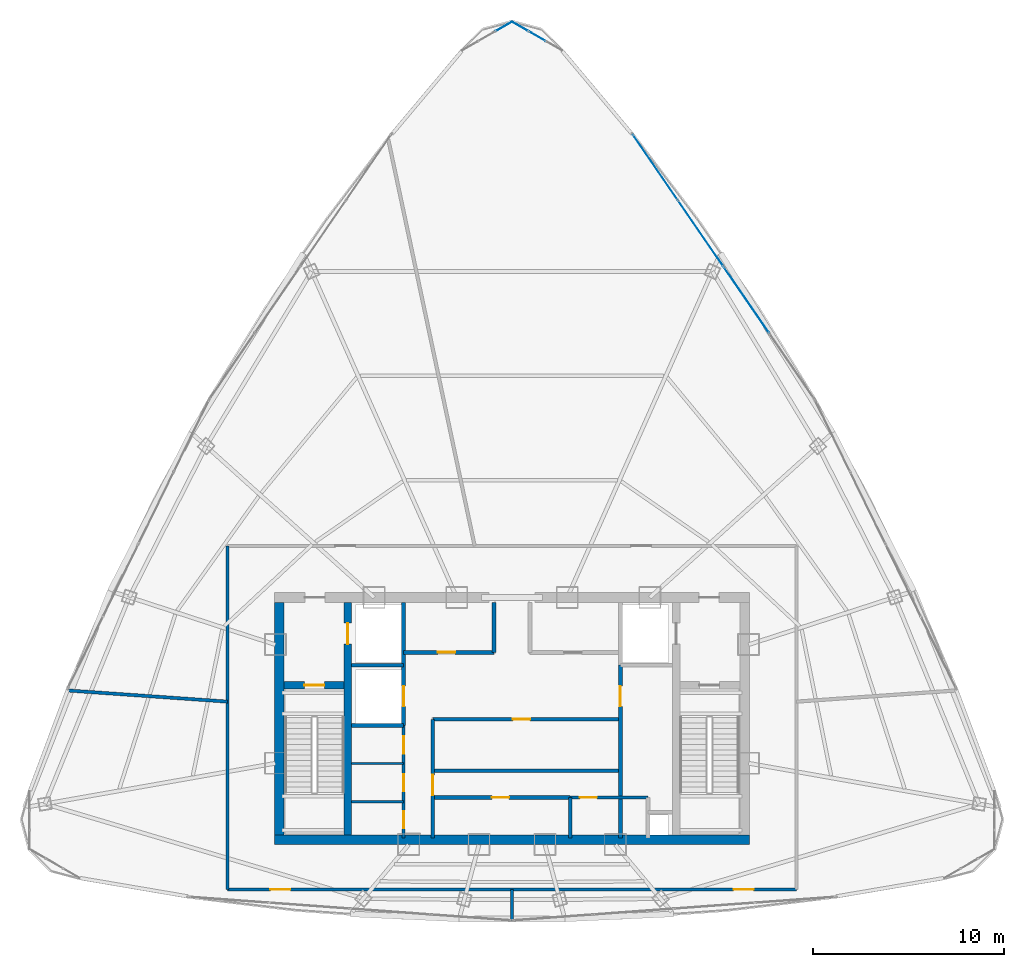
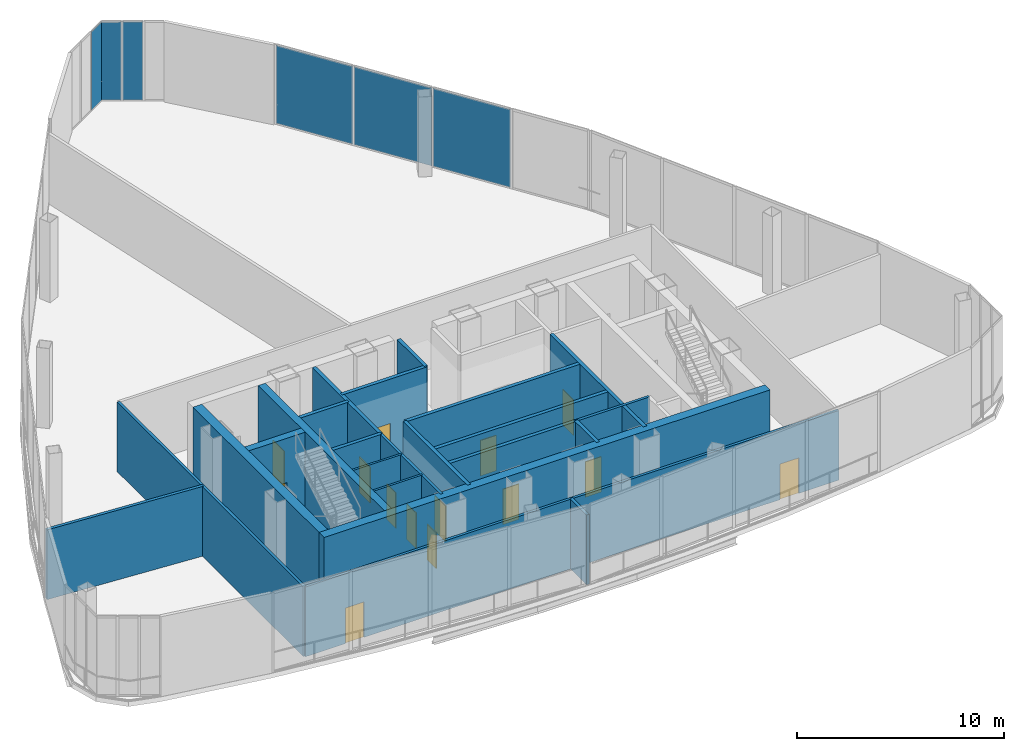
# One storey, part 29 of 33: 23 walls, 14 doors, 6 plates, 14 openings, 3 elements without a shape of their own.
"""IFC4 building model written with IfcOpenShell, lengths in metres."""

from ifc_helpers import new_model, si_unit, direction, frame, frame_2d, origin, origin_with_axes, origin_2d, place, context, subcontext, project, spatial, rectangle, extrude, source, transform, mapped, material, layer, layer_set, type_object, element, fill, aggregate, save


model = new_model("IFC4")

# Units and contexts
model_context = context("Model", 3, precision=1e-05, world=origin(), true_north=direction((0.0, 1.0)))
body_context = subcontext(model_context, "Body", "Model", "MODEL_VIEW")
ifc_project = project(units=[si_unit("LENGTHUNIT", "METRE"), si_unit("AREAUNIT", "SQUARE_METRE"), si_unit("VOLUMEUNIT", "CUBIC_METRE"), si_unit("PLANEANGLEUNIT", "RADIAN"), si_unit("MASSUNIT", "GRAM", prefix="KILO"), si_unit("THERMODYNAMICTEMPERATUREUNIT", "KELVIN"), si_unit("POWERUNIT", "WATT")], contexts=[model_context])

# Site, building, storey
site_placement = place(None, origin())
site = spatial("IfcSite", under=ifc_project, at=site_placement, CompositionType="ELEMENT")
building_placement = place(site_placement, origin())
building = spatial("IfcBuilding", under=site, at=building_placement, Name="Yunzhuo Pagoda Commons", CompositionType="ELEMENT")
storey_placement = place(building_placement, frame((0.0, 0.0, 391.760009765625)))
storey = spatial("IfcBuildingStorey", under=building, at=storey_placement, Name="L97", CompositionType="ELEMENT", Elevation=391.760009765625)

# Curtain wall, plates
ifc_material_1 = material(Name="Anodized aluminium 6063-T6", Category="aluminium")
ifc_layer_1 = layer(ifc_material_1, 0.179931640625)
ifc_layer_set_1 = layer_set([ifc_layer_1], Name="Anodized aluminium 6063-T6")
curtain_wall_type_1 = type_object("IfcCurtainWallType", Name="CW-CRN Crown Gable Glazing System", PredefinedType="NOTDEFINED", material=ifc_layer_set_1)
curtain_wall_1_placement = place(storey_placement, origin())
curtain_wall_1 = element("IfcCurtainWall", 1, at=curtain_wall_1_placement, inside=storey, type_object=curtain_wall_type_1, Name="L97 curtain wall CW-L97-CRNF2G2", PredefinedType="NOTDEFINED")
ifc_material_2 = material(Name="Tempered low-e double glazing", Category="glass")
ifc_layer_2 = layer(ifc_material_2, 0.030029296875)
ifc_layer_set_2 = layer_set([ifc_layer_2], Name="Tempered low-e double glazing")
plate_type_1 = type_object("IfcPlateType", Name="CW-CRN-P Low-E Double Glazing 30", PredefinedType="CURTAIN_PANEL", material=ifc_layer_set_2)
shared_shape_1 = source(origin(), body_context, "Body", "SweptSolid", [
    extrude(rectangle(XDim=4.125244140625, YDim=0.028076171875, at=origin_2d()), origin(), (0.0, 0.0, 1.0), 4.60009765625),
])
plate_1_placement = place(storey_placement, frame((55.507080078125, 62.74169921875, 0.06005859375), z_axis=(0.0, 0.0, 1.0), x_axis=(-0.566158911561, 0.824296116005, 0.0)))
plate_1 = element("IfcPlate", 2, at=plate_1_placement, type_object=plate_type_1, Name="CW panel 4.1", PredefinedType="CURTAIN_PANEL", context=body_context, shape_type="MappedRepresentation", body=[
    mapped(shared_shape_1, transform((0.0, 0.0, 0.0), scale=1.0)),
])
shared_shape_2 = source(origin(), body_context, "Body", "SweptSolid", [
    extrude(rectangle(XDim=4.15771484375, YDim=0.028076171875, at=origin_2d()), origin(), (0.0, 0.0, 1.0), 4.60009765625),
])
plate_2_placement = place(storey_placement, frame((60.279296875, 55.793701171875, 0.06005859375), z_axis=(0.0, 0.0, 1.0), x_axis=(-0.566158911561, 0.824296116005, 0.0)))
plate_2 = element("IfcPlate", 3, at=plate_2_placement, type_object=plate_type_1, Name="CW panel 2.1", PredefinedType="CURTAIN_PANEL", context=body_context, shape_type="MappedRepresentation", body=[
    mapped(shared_shape_2, transform((0.0, 0.0, 0.0), scale=1.0)),
])
plate_3_placement = place(storey_placement, frame((57.888671875, 59.2744140625, 0.06005859375), z_axis=(0.0, 0.0, 1.0), x_axis=(-0.566158911561, 0.824296116005, 0.0)))
plate_3 = element("IfcPlate", 4, at=plate_3_placement, type_object=plate_type_1, Name="CW panel 3.1", PredefinedType="CURTAIN_PANEL", context=body_context, shape_type="MappedRepresentation", body=[
    mapped(shared_shape_2, transform((0.0, 0.0, 0.0), scale=1.0)),
])
aggregate(curtain_wall_1, [plate_2, plate_3, plate_1])

# Curtain wall, plate
ifc_layer_3 = layer(ifc_material_1, 0.1298828125)
ifc_layer_set_3 = layer_set([ifc_layer_3], Name="Anodized aluminium 6063-T6")
curtain_wall_type_2 = type_object("IfcCurtainWallType", Name="CW-VTX Rounded Corner Curtain Wall", PredefinedType="NOTDEFINED", material=ifc_layer_set_3)
curtain_wall_2_placement = place(storey_placement, origin())
curtain_wall_2 = element("IfcCurtainWall", 5, at=curtain_wall_2_placement, inside=storey, type_object=curtain_wall_type_2, Name="L97 curtain wall CW-L97-CRNV3S1", PredefinedType="NOTDEFINED")
ifc_layer_4 = layer(ifc_material_2, 0.02587890625)
ifc_layer_set_4 = layer_set([ifc_layer_4], Name="Tempered low-e double glazing")
plate_type_2 = type_object("IfcPlateType", Name="CW-VTX-P Low-E Double Glazing 26", PredefinedType="CURTAIN_PANEL", material=ifc_layer_set_4)
shared_shape_3 = source(origin(), body_context, "Body", "SweptSolid", [
    extrude(rectangle(XDim=0.957275390625, YDim=0.028076171875, at=origin_2d()), origin(), (0.0, 0.0, 1.0), 4.610107421875),
])
plate_4_placement = place(storey_placement, frame((48.4228515625, 70.122314453125, 0.05517578125), z_axis=(0.0, 0.0, 1.0), x_axis=(-0.867213359154, 0.497936732633, 0.0)))
plate_4 = element("IfcPlate", 6, at=plate_4_placement, type_object=plate_type_2, Name="CW panel 3.1", PredefinedType="CURTAIN_PANEL", context=body_context, shape_type="MappedRepresentation", body=[
    mapped(shared_shape_3, transform((0.0, 0.0, 0.0), scale=1.0)),
])

curtain_wall_3_placement = place(storey_placement, origin())
curtain_wall_3 = element("IfcCurtainWall", 7, at=curtain_wall_3_placement, inside=storey, type_object=curtain_wall_type_2, Name="L97 curtain wall CW-L97-CRNV3S2", PredefinedType="NOTDEFINED")
plate_5_placement = place(storey_placement, frame((47.5771484375, 70.122314453125, 0.05517578125), z_axis=(0.0, 0.0, 1.0), x_axis=(-0.867213359154, -0.497936732633, 0.0)))
plate_5 = element("IfcPlate", 8, at=plate_5_placement, type_object=plate_type_2, Name="CW panel 1.1", PredefinedType="CURTAIN_PANEL", context=body_context, shape_type="MappedRepresentation", body=[
    mapped(shared_shape_3, transform((0.0, 0.0, 0.0), scale=1.0)),
])
aggregate(curtain_wall_3, [plate_5])

# Plate
shared_shape_4 = source(origin(), body_context, "Body", "SweptSolid", [
    extrude(rectangle(XDim=0.984619140625, YDim=0.028076171875, at=origin_2d()), origin(), (0.0, 0.0, 1.0), 4.610107421875),
])
plate_6_placement = place(storey_placement, frame((49.312744140625, 69.611328125, 0.05517578125), z_axis=(0.0, 0.0, 1.0), x_axis=(-0.867213359154, 0.497936732633, 0.0)))
plate_6 = element("IfcPlate", 9, at=plate_6_placement, type_object=plate_type_2, Name="CW panel 2.1", PredefinedType="CURTAIN_PANEL", context=body_context, shape_type="MappedRepresentation", body=[
    mapped(shared_shape_4, transform((0.0, 0.0, 0.0), scale=1.0)),
])

aggregate(curtain_wall_2, [plate_6, plate_4])

# Walls
ifc_material_3 = material(Name="Concrete C50", Category="concrete")
ifc_layer_5 = layer(ifc_material_3, 0.5)
ifc_layer_set_5 = layer_set([ifc_layer_5], Name="Concrete C50")
wall_type_1 = type_object("IfcWallType", Name="W-C03 Upper Core Shear Wall 500", PredefinedType="SHEAR", material=ifc_layer_set_5)
wall_1_placement = place(storey_placement, frame((35.550048828125, 27.5, 0.0), z_axis=(0.0, 0.0, 1.0), x_axis=(1.0, 0.0, 0.0)))
element("IfcWall", 10, at=wall_1_placement, inside=storey, type_object=wall_type_1, Name="L97 core shear wall S", PredefinedType="SHEAR", context=body_context, shape_type="SweptSolid", body=[
    extrude(rectangle(XDim=24.89990234375, YDim=0.5, at=frame_2d((12.449951171875, 0.0))), origin(), (0.0, 0.0, 1.0), 4.719970703125),
])
wall_2_placement = place(storey_placement, frame((35.800048828125, 27.75, 0.0), z_axis=(0.0, 0.0, 1.0), x_axis=(0.0, 1.0, 0.0)))
element("IfcWall", 11, at=wall_2_placement, inside=storey, type_object=wall_type_1, Name="L97 core shear wall W", PredefinedType="SHEAR", context=body_context, shape_type="SweptSolid", body=[
    extrude(rectangle(XDim=12.199951171875, YDim=0.5, at=frame_2d((6.10009765625, 0.0))), origin(), (0.0, 0.0, 1.0), 4.719970703125),
])

# Wall, openings, doors
ifc_material_4 = material(Name="Gypsum plasterboard on acoustic stud")
ifc_layer_6 = layer(ifc_material_4, 0.14990234375)
ifc_layer_set_6 = layer_set([ifc_layer_6], Name="Gypsum plasterboard on acoustic stud")
wall_type_2 = type_object("IfcWallType", Name="W-COR3 High-Zone Rated Corridor Wall 150", PredefinedType="PARTITIONING", material=ifc_layer_set_6)
wall_3_placement = place(storey_placement, frame((42.320068359375, 27.60009765625, 0.0), z_axis=(0.0, 0.0, 1.0), x_axis=(0.0, 1.0, 0.0)))
wall_3 = element("IfcWall", 12, at=wall_3_placement, inside=storey, type_object=wall_type_2, Name="L97 interior wall IW-L97-CSWE", PredefinedType="PARTITIONING", context=body_context, shape_type="SweptSolid", body=[
    extrude(rectangle(XDim=5.89990234375, YDim=0.14990234375, at=frame_2d((2.949951171875, 0.0))), origin(), (0.0, 0.0, 1.0), 4.719970703125),
])
opening_1_placement = place(wall_3_placement, frame((0.5, 0.0, 0.0)))
opening_1 = element("IfcOpeningElement", 13, at=opening_1_placement, cuts=wall_3, Name="Opening D-03", PredefinedType="OPENING", context=body_context, shape_type="SweptSolid", body=[
    extrude(rectangle(XDim=0.89990234375, YDim=2.10009765625, at=frame_2d((0.449951171875, 1.050048828125))), frame((0.0, 0.0849609375, 0.0), z_axis=(0.0, -1.0, 0.0), x_axis=(1.0, 0.0, 0.0)), (0.0, 0.0, 1.0), 0.169921875),
])
opening_2_placement = place(wall_3_placement, frame((2.449951171875, 0.0, 0.0)))
opening_2 = element("IfcOpeningElement", 14, at=opening_2_placement, cuts=wall_3, Name="Opening D-03", PredefinedType="OPENING", context=body_context, shape_type="SweptSolid", body=[
    extrude(rectangle(XDim=0.89990234375, YDim=2.10009765625, at=frame_2d((0.449951171875, 1.050048828125))), frame((0.0, 0.0849609375, 0.0), z_axis=(0.0, -1.0, 0.0), x_axis=(1.0, 0.0, 0.0)), (0.0, 0.0, 1.0), 0.169921875),
])
opening_3_placement = place(wall_3_placement, frame((4.419921875, 0.0, 0.0)))
opening_3 = element("IfcOpeningElement", 15, at=opening_3_placement, cuts=wall_3, Name="Opening D-03", PredefinedType="OPENING", context=body_context, shape_type="SweptSolid", body=[
    extrude(rectangle(XDim=0.89990234375, YDim=2.10009765625, at=frame_2d((0.449951171875, 1.050048828125))), frame((0.0, 0.0849609375, 0.0), z_axis=(0.0, -1.0, 0.0), x_axis=(1.0, 0.0, 0.0)), (0.0, 0.0, 1.0), 0.169921875),
])
ifc_material_5 = material(Name="Galvanized fire-resisting metal leaf")
door_type_1 = type_object("IfcDoorType", Name="D-03 Core Service Fire Door 900x2100", OperationType="NOTDEFINED", PredefinedType="DOOR", material=ifc_material_5)
shared_shape_5 = source(origin(), body_context, "Body", "SweptSolid", [
    extrude(rectangle(XDim=0.89990234375, YDim=2.10009765625, at=frame_2d((0.449951171875, 1.050048828125))), frame((0.0, 0.02490234375, 0.0), z_axis=(0.0, -1.0, 0.0), x_axis=(1.0, 0.0, 0.0)), (0.0, 0.0, 1.0), 0.050048828125),
])
door_1_placement = place(opening_1_placement, origin_with_axes())
door_1 = element("IfcDoor", 16, at=door_1_placement, inside=storey, type_object=door_type_1, Name="L97 switch door", OperationType="SINGLE_SWING_RIGHT", OverallHeight=2.10009765625, OverallWidth=0.89990234375, PredefinedType="DOOR", context=body_context, shape_type="MappedRepresentation", body=[
    mapped(shared_shape_5, transform((0.0, 0.0, 0.0), scale=1.0)),
])
fill(opening_1, door_1)
door_2_placement = place(opening_2_placement, origin_with_axes())
door_2 = element("IfcDoor", 17, at=door_2_placement, inside=storey, type_object=door_type_1, Name="L97 cleaner door", OperationType="SINGLE_SWING_RIGHT", OverallHeight=2.10009765625, OverallWidth=0.89990234375, PredefinedType="DOOR", context=body_context, shape_type="MappedRepresentation", body=[
    mapped(shared_shape_5, transform((0.0, 0.0, 0.0), scale=1.0)),
])
fill(opening_2, door_2)
door_3_placement = place(opening_3_placement, origin_with_axes())
door_3 = element("IfcDoor", 18, at=door_3_placement, inside=storey, type_object=door_type_1, Name="L97 core maintenance door", OperationType="SINGLE_SWING_LEFT", OverallHeight=2.10009765625, OverallWidth=0.89990234375, PredefinedType="DOOR", context=body_context, shape_type="MappedRepresentation", body=[
    mapped(shared_shape_5, transform((0.0, 0.0, 0.0), scale=1.0)),
])
fill(opening_3, door_3)

# Wall, opening, door
wall_4_placement = place(storey_placement, frame((51.050048828125, 29.719970703125, 0.0), z_axis=(0.0, 0.0, 1.0), x_axis=(1.0, 0.0, 0.0)))
wall_4 = element("IfcWall", 19, at=wall_4_placement, inside=storey, type_object=wall_type_2, Name="L97 interior wall IW-L97-CSES", PredefinedType="PARTITIONING", context=body_context, shape_type="SweptSolid", body=[
    extrude(rectangle(XDim=4.070068359375, YDim=0.14990234375, at=frame_2d((2.03515625, 0.0))), origin(), (0.0, 0.0, 1.0), 4.719970703125),
])
opening_4_placement = place(wall_4_placement, frame((0.5, 0.0, 0.0)))
opening_4 = element("IfcOpeningElement", 20, at=opening_4_placement, cuts=wall_4, Name="Opening D-03", PredefinedType="OPENING", context=body_context, shape_type="SweptSolid", body=[
    extrude(rectangle(XDim=0.89990234375, YDim=2.10009765625, at=frame_2d((0.449951171875, 1.050048828125))), frame((0.0, 0.0849609375, 0.0), z_axis=(0.0, -1.0, 0.0), x_axis=(1.0, 0.0, 0.0)), (0.0, 0.0, 1.0), 0.169921875),
])
door_4_placement = place(opening_4_placement, origin_with_axes())
door_4 = element("IfcDoor", 21, at=door_4_placement, inside=storey, type_object=door_type_1, Name="L97 core pantry door", OperationType="SINGLE_SWING_RIGHT", OverallHeight=2.10009765625, OverallWidth=0.89990234375, PredefinedType="DOOR", context=body_context, shape_type="MappedRepresentation", body=[
    mapped(shared_shape_5, transform((0.0, 0.0, 0.0), scale=1.0)),
])
fill(opening_4, door_4)

# Wall, openings, doors
wall_5_placement = place(storey_placement, frame((33.10009765625, 24.89990234375, 0.0), z_axis=(0.0, 0.0, 1.0), x_axis=(1.0, 0.0, 0.0)))
wall_5 = element("IfcWall", 22, at=wall_5_placement, inside=storey, type_object=wall_type_2, Name="L97 interior wall IW-L97-SCW01", PredefinedType="PARTITIONING", context=body_context, shape_type="SweptSolid", body=[
    extrude(rectangle(XDim=29.7998046875, YDim=0.14990234375, at=frame_2d((14.89990234375, 0.0))), origin(), (0.0, 0.0, 1.0), 4.119873046875),
])
opening_5_placement = place(wall_5_placement, frame((2.236328125, 0.0, 0.0)))
opening_5 = element("IfcOpeningElement", 23, at=opening_5_placement, cuts=wall_5, Name="Opening D-02", PredefinedType="OPENING", context=body_context, shape_type="SweptSolid", body=[
    extrude(rectangle(XDim=1.050048828125, YDim=2.10009765625, at=frame_2d((0.52490234375, 1.050048828125))), frame((0.0, 0.0849609375, 0.0), z_axis=(0.0, -1.0, 0.0), x_axis=(1.0, 0.0, 0.0)), (0.0, 0.0, 1.0), 0.169921875),
])
opening_6_placement = place(wall_5_placement, frame((26.513671875, 0.0, 0.0)))
opening_6 = element("IfcOpeningElement", 24, at=opening_6_placement, cuts=wall_5, Name="Opening D-02", PredefinedType="OPENING", context=body_context, shape_type="SweptSolid", body=[
    extrude(rectangle(XDim=1.050048828125, YDim=2.10009765625, at=frame_2d((0.52490234375, 1.050048828125))), frame((0.0, 0.0849609375, 0.0), z_axis=(0.0, -1.0, 0.0), x_axis=(1.0, 0.0, 0.0)), (0.0, 0.0, 1.0), 0.169921875),
])
door_type_2 = type_object("IfcDoorType", Name="D-02 Firefighting Lobby & Refuge Fire Door 1050x2100", OperationType="NOTDEFINED", PredefinedType="DOOR", material=ifc_material_5)
shared_shape_6 = source(origin(), body_context, "Body", "SweptSolid", [
    extrude(rectangle(XDim=1.050048828125, YDim=2.10009765625, at=frame_2d((0.52490234375, 1.050048828125))), frame((0.0, 0.02490234375, 0.0), z_axis=(0.0, -1.0, 0.0), x_axis=(1.0, 0.0, 0.0)), (0.0, 0.0, 1.0), 0.050048828125),
])
door_5_placement = place(opening_5_placement, origin_with_axes())
door_5 = element("IfcDoor", 25, at=door_5_placement, inside=storey, type_object=door_type_2, Name="L97 High-Zone Fire Water Tank Plant Room door", OperationType="SINGLE_SWING_LEFT", OverallHeight=2.10009765625, OverallWidth=1.050048828125, PredefinedType="DOOR", context=body_context, shape_type="MappedRepresentation", body=[
    mapped(shared_shape_6, transform((0.0, 0.0, 0.0), scale=1.0)),
])
fill(opening_5, door_5)
door_6_placement = place(opening_6_placement, origin_with_axes())
door_6 = element("IfcDoor", 26, at=door_6_placement, inside=storey, type_object=door_type_2, Name="L97 Crown Switchgear and Control Plant Room door", OperationType="SINGLE_SWING_RIGHT", OverallHeight=2.10009765625, OverallWidth=1.050048828125, PredefinedType="DOOR", context=body_context, shape_type="MappedRepresentation", body=[
    mapped(shared_shape_6, transform((0.0, 0.0, 0.0), scale=1.0)),
])
fill(opening_6, door_6)

# Walls
wall_6_placement = place(storey_placement, frame((33.10009765625, 42.89990234375, 0.0), z_axis=(0.0, 0.0, 1.0), x_axis=(0.0, -1.0, 0.0)))
element("IfcWall", 27, at=wall_6_placement, inside=storey, type_object=wall_type_2, Name="L97 interior wall IW-L97-SCW04", PredefinedType="PARTITIONING", context=body_context, shape_type="SweptSolid", body=[
    extrude(rectangle(XDim=18.0, YDim=0.14990234375, at=frame_2d((9.0, 0.0))), origin(), (0.0, 0.0, 1.0), 4.119873046875),
])
ifc_layer_7 = layer(ifc_material_4, 0.1201171875)
ifc_layer_set_7 = layer_set([ifc_layer_7], Name="Gypsum plasterboard on acoustic stud")
wall_type_3 = type_object("IfcWallType", Name="W-PRT1 Suite & Bathroom Partition 120", PredefinedType="PARTITIONING", material=ifc_layer_set_7)
for number, where, z_axis, x_axis, name in (
    (28, (39.60009765625, 29.5, 0.0), (0.0, 0.0, 1.0), (1.0, 0.0, 0.0), "L97 interior wall IW-L97-CC1"),
    (29, (39.60009765625, 31.5, 0.0), (0.0, 0.0, 1.0), (1.0, 0.0, 0.0), "L97 interior wall IW-L97-CC2"),
):
    element("IfcWall", number, at=place(storey_placement, frame(where, z_axis=z_axis, x_axis=x_axis)), inside=storey, type_object=wall_type_3, Name=name, PredefinedType="PARTITIONING", context=body_context, shape_type="SweptSolid", body=[
        extrude(rectangle(XDim=2.719970703125, YDim=0.1201171875, at=frame_2d((1.35986328125, 0.0))), origin(), (0.0, 0.0, 1.0), 4.719970703125),
    ])
ifc_layer_8 = layer(ifc_material_4, 0.169921875)
ifc_layer_set_8 = layer_set([ifc_layer_8], Name="Gypsum plasterboard on acoustic stud")
wall_type_4 = type_object("IfcWallType", Name="W-PRT4 High-Zone Demising Wall 170", PredefinedType="PARTITIONING", material=ifc_layer_set_8)
wall_7_placement = place(storey_placement, frame((33.10009765625, 34.741943359375, 0.0), z_axis=(0.0, 0.0, 1.0), x_axis=(-0.997563993403, 0.069757286835, 0.0)))
element("IfcWall", 30, at=wall_7_placement, inside=storey, type_object=wall_type_4, Name="L97 interior wall IW-L97-SRAD3", PredefinedType="PARTITIONING", context=body_context, shape_type="SweptSolid", body=[
    extrude(rectangle(XDim=8.420654296875, YDim=0.169921875, at=frame_2d((4.21044921875, 0.0))), origin(), (0.0, 0.0, 1.0), 4.119873046875),
])
wall_8_placement = place(storey_placement, frame((48.0, 24.89990234375, 0.0), z_axis=(0.0, 0.0, 1.0), x_axis=(0.0, -1.0, 0.0)))
element("IfcWall", 31, at=wall_8_placement, inside=storey, type_object=wall_type_4, Name="L97 interior wall IW-L97-SRAD4", PredefinedType="PARTITIONING", context=body_context, shape_type="SweptSolid", body=[
    extrude(rectangle(XDim=1.61572265625, YDim=0.169921875, at=frame_2d((0.807861328125, 0.0))), origin(), (0.0, 0.0, 1.0), 4.119873046875),
])

# Wall, opening, door
ifc_material_6 = material(Name="Concrete C60", Category="concrete")
ifc_layer_9 = layer(ifc_material_6, 0.39990234375)
ifc_layer_set_9 = layer_set([ifc_layer_9], Name="Concrete C60")
wall_type_5 = type_object("IfcWallType", Name="W-S01 Internal Core Shear Web 400", PredefinedType="SHEAR", material=ifc_layer_set_9)
wall_9_placement = place(storey_placement, frame((39.39990234375, 27.75, 0.0), z_axis=(0.0, 0.0, 1.0), x_axis=(0.0, 1.0, 0.0)))
wall_9 = element("IfcWall", 32, at=wall_9_placement, inside=storey, type_object=wall_type_5, Name="L97 core shear wall WEBW", PredefinedType="SHEAR", context=body_context, shape_type="SweptSolid", body=[
    extrude(rectangle(XDim=12.199951171875, YDim=0.39990234375, at=frame_2d((6.10009765625, 0.0))), origin(), (0.0, 0.0, 1.0), 4.719970703125),
])
opening_7_placement = place(wall_9_placement, frame((10.0, 0.0, 0.0)))
opening_7 = element("IfcOpeningElement", 33, at=opening_7_placement, cuts=wall_9, Name="Opening LD-01", PredefinedType="OPENING", context=body_context, shape_type="SweptSolid", body=[
    extrude(rectangle(XDim=1.10009765625, YDim=2.10009765625, at=frame_2d((0.550048828125, 1.050048828125))), frame((0.0, 0.2099609375, 0.0), z_axis=(0.0, -1.0, 0.0), x_axis=(1.0, 0.0, 0.0)), (0.0, 0.0, 1.0), 0.419921875),
])
door_type_3 = type_object("IfcDoorType", Name="LD-01 Firefighting Lift Landing Door 1100x2100", OperationType="DOUBLE_DOOR_SLIDING", PredefinedType="DOOR", material=ifc_material_5)
shared_shape_7 = source(origin(), body_context, "Body", "SweptSolid", [
    extrude(rectangle(XDim=1.10009765625, YDim=2.10009765625, at=frame_2d((0.550048828125, 1.050048828125))), frame((0.0, 0.02490234375, 0.0), z_axis=(0.0, -1.0, 0.0), x_axis=(1.0, 0.0, 0.0)), (0.0, 0.0, 1.0), 0.050048828125),
])
door_7_placement = place(opening_7_placement, frame((1.10009765625, 0.0, 0.0), z_axis=(0.0, 0.0, 1.0), x_axis=(-1.0, 0.0, 0.0)))
door_7 = element("IfcDoor", 34, at=door_7_placement, inside=storey, type_object=door_type_3, Name="L97 Firefighting lift FL-1 landing door", OperationType="DOUBLE_DOOR_SLIDING", OverallHeight=2.10009765625, OverallWidth=1.10009765625, PredefinedType="DOOR", context=body_context, shape_type="MappedRepresentation", body=[
    mapped(shared_shape_7, transform((0.0, 0.0, 0.0), scale=1.0)),
])
fill(opening_7, door_7)

wall_10_placement = place(storey_placement, frame((36.050048828125, 35.60009765625, 0.0), z_axis=(0.0, 0.0, 1.0), x_axis=(1.0, 0.0, 0.0)))
wall_10 = element("IfcWall", 35, at=wall_10_placement, inside=storey, type_object=wall_type_5, Name="L97 core shear wall STW", PredefinedType="SHEAR", context=body_context, shape_type="SweptSolid", body=[
    extrude(rectangle(XDim=3.14990234375, YDim=0.39990234375, at=frame_2d((1.574951171875, 0.0))), origin(), (0.0, 0.0, 1.0), 4.719970703125),
])
opening_8_placement = place(wall_10_placement, frame((1.070068359375, 0.0, 0.0)))
opening_8 = element("IfcOpeningElement", 36, at=opening_8_placement, cuts=wall_10, Name="Opening D-01", PredefinedType="OPENING", context=body_context, shape_type="SweptSolid", body=[
    extrude(rectangle(XDim=1.050048828125, YDim=2.10009765625, at=frame_2d((0.52490234375, 1.050048828125))), frame((0.0, 0.2099609375, 0.0), z_axis=(0.0, -1.0, 0.0), x_axis=(1.0, 0.0, 0.0)), (0.0, 0.0, 1.0), 0.419921875),
])
door_type_4 = type_object("IfcDoorType", Name="D-01 Smokeproof Stair Fire Door 1050x2100", OperationType="NOTDEFINED", PredefinedType="DOOR", material=ifc_material_5)
door_8_placement = place(opening_8_placement, frame((1.050048828125, 0.0, 0.0), z_axis=(0.0, 0.0, 1.0), x_axis=(-1.0, 0.0, 0.0)))
door_8 = element("IfcDoor", 37, at=door_8_placement, inside=storey, type_object=door_type_4, Name="L97 Stair ST1 fire door", OperationType="SINGLE_SWING_LEFT", OverallHeight=2.10009765625, OverallWidth=1.050048828125, PredefinedType="DOOR", context=body_context, shape_type="MappedRepresentation", body=[
    mapped(shared_shape_6, transform((0.0, 0.0, 0.0), scale=1.0)),
])
fill(opening_8, door_8)

ifc_material_7 = material(Name="Concrete C40", Category="concrete")
ifc_layer_10 = layer(ifc_material_7, 0.199951171875)
ifc_layer_set_10 = layer_set([ifc_layer_10], Name="Concrete C40")
wall_type_6 = type_object("IfcWallType", Name="W-SHF Shaft & Stair Enclosure Wall 200", PredefinedType="SOLIDWALL", material=ifc_layer_set_10)
wall_11_placement = place(storey_placement, frame((42.320068359375, 33.5, 0.0), z_axis=(0.0, 0.0, 1.0), x_axis=(0.0, 1.0, 0.0)))
wall_11 = element("IfcWall", 38, at=wall_11_placement, inside=storey, type_object=wall_type_6, Name="L97 interior wall IW-L97-FL1E", PredefinedType="SOLIDWALL", context=body_context, shape_type="SweptSolid", body=[
    extrude(rectangle(XDim=6.449951171875, YDim=0.199951171875, at=frame_2d((3.22509765625, 0.0))), origin(), (0.0, 0.0, 1.0), 4.719970703125),
])
opening_9_placement = place(wall_11_placement, frame((1.0, 0.0, 0.0)))
opening_9 = element("IfcOpeningElement", 39, at=opening_9_placement, cuts=wall_11, Name="Opening LD-02", PredefinedType="OPENING", context=body_context, shape_type="SweptSolid", body=[
    extrude(rectangle(XDim=1.050048828125, YDim=2.10009765625, at=frame_2d((0.52490234375, 1.050048828125))), frame((0.0, 0.10986328125, 0.0), z_axis=(0.0, -1.0, 0.0), x_axis=(1.0, 0.0, 0.0)), (0.0, 0.0, 1.0), 0.219970703125),
])
door_type_5 = type_object("IfcDoorType", Name="LD-02 Passenger Lift Landing Door 1050x2100", OperationType="DOUBLE_DOOR_SLIDING", PredefinedType="DOOR", material=ifc_material_5)
door_9_placement = place(opening_9_placement, origin_with_axes())
door_9 = element("IfcDoor", 40, at=door_9_placement, inside=storey, type_object=door_type_5, Name="L97 Service lift SL-1 landing door", OperationType="DOUBLE_DOOR_SLIDING", OverallHeight=2.10009765625, OverallWidth=1.050048828125, PredefinedType="DOOR", context=body_context, shape_type="MappedRepresentation", body=[
    mapped(shared_shape_6, transform((0.0, 0.0, 0.0), scale=1.0)),
])
fill(opening_9, door_9)

# Walls
for number, where, z_axis, x_axis, name in (
    (41, (39.60009765625, 36.64990234375, 0.0), (0.0, 0.0, 1.0), (1.0, 0.0, 0.0), "L97 interior wall IW-L97-FL1S"),
    (42, (39.60009765625, 33.5, 0.0), (0.0, 0.0, 1.0), (1.0, 0.0, 0.0), "L97 interior wall IW-L97-SL1S"),
):
    element("IfcWall", number, at=place(storey_placement, frame(where, z_axis=z_axis, x_axis=x_axis)), inside=storey, type_object=wall_type_6, Name=name, PredefinedType="SOLIDWALL", context=body_context, shape_type="SweptSolid", body=[
        extrude(rectangle(XDim=2.719970703125, YDim=0.199951171875, at=frame_2d((1.35986328125, 0.0))), origin(), (0.0, 0.0, 1.0), 4.719970703125),
    ])

# Wall, opening, door
wall_12_placement = place(storey_placement, frame((42.320068359375, 37.320068359375, 0.0), z_axis=(0.0, 0.0, 1.0), x_axis=(1.0, 0.0, 0.0)))
wall_12 = element("IfcWall", 43, at=wall_12_placement, inside=storey, type_object=wall_type_6, Name="L97 interior wall IW-L97-LBNW", PredefinedType="SOLIDWALL", context=body_context, shape_type="SweptSolid", body=[
    extrude(rectangle(XDim=4.72998046875, YDim=0.199951171875, at=frame_2d((2.364990234375, 0.0))), origin(), (0.0, 0.0, 1.0), 4.719970703125),
])
opening_10_placement = place(wall_12_placement, frame((1.800048828125, 0.0, 0.0)))
opening_10 = element("IfcOpeningElement", 44, at=opening_10_placement, cuts=wall_12, Name="Opening D-03", PredefinedType="OPENING", context=body_context, shape_type="SweptSolid", body=[
    extrude(rectangle(XDim=0.89990234375, YDim=2.10009765625, at=frame_2d((0.449951171875, 1.050048828125))), frame((0.0, 0.10986328125, 0.0), z_axis=(0.0, -1.0, 0.0), x_axis=(1.0, 0.0, 0.0)), (0.0, 0.0, 1.0), 0.219970703125),
])
door_10_placement = place(opening_10_placement, frame((0.89990234375, 0.0, 0.0), z_axis=(0.0, 0.0, 1.0), x_axis=(-1.0, 0.0, 0.0)))
door_10 = element("IfcDoor", 45, at=door_10_placement, inside=storey, type_object=door_type_1, Name="L97 core west store door", OperationType="SINGLE_SWING_LEFT", OverallHeight=2.10009765625, OverallWidth=0.89990234375, PredefinedType="DOOR", context=body_context, shape_type="MappedRepresentation", body=[
    mapped(shared_shape_5, transform((0.0, 0.0, 0.0), scale=1.0)),
])
fill(opening_10, door_10)

# Wall
wall_13_placement = place(storey_placement, frame((47.050048828125, 37.320068359375, 0.0), z_axis=(0.0, 0.0, 1.0), x_axis=(0.0, 1.0, 0.0)))
element("IfcWall", 46, at=wall_13_placement, inside=storey, type_object=wall_type_6, Name="L97 interior wall IW-L97-THRW", PredefinedType="SOLIDWALL", context=body_context, shape_type="SweptSolid", body=[
    extrude(rectangle(XDim=2.6298828125, YDim=0.199951171875, at=frame_2d((1.31494140625, 0.0))), origin(), (0.0, 0.0, 1.0), 4.719970703125),
])

# Wall, opening, door
wall_14_placement = place(storey_placement, frame((43.85009765625, 33.820068359375, 0.0), z_axis=(0.0, 0.0, 1.0), x_axis=(1.0, 0.0, 0.0)))
wall_14 = element("IfcWall", 47, at=wall_14_placement, inside=storey, type_object=wall_type_6, Name="L97 interior wall IW-L97-MLBS", PredefinedType="SOLIDWALL", context=body_context, shape_type="SweptSolid", body=[
    extrude(rectangle(XDim=9.829833984375, YDim=0.199951171875, at=frame_2d((4.9150390625, 0.0))), origin(), (0.0, 0.0, 1.0), 4.719970703125),
])
opening_11_placement = place(wall_14_placement, frame((4.199951171875, 0.0, 0.0)))
opening_11 = element("IfcOpeningElement", 48, at=opening_11_placement, cuts=wall_14, Name="Opening D-03", PredefinedType="OPENING", context=body_context, shape_type="SweptSolid", body=[
    extrude(rectangle(XDim=0.89990234375, YDim=2.10009765625, at=frame_2d((0.449951171875, 1.050048828125))), frame((0.0, 0.10986328125, 0.0), z_axis=(0.0, -1.0, 0.0), x_axis=(1.0, 0.0, 0.0)), (0.0, 0.0, 1.0), 0.219970703125),
])
door_11_placement = place(opening_11_placement, origin_with_axes())
door_11 = element("IfcDoor", 49, at=door_11_placement, inside=storey, type_object=door_type_1, Name="L97 core archive store door", OperationType="SINGLE_SWING_LEFT", OverallHeight=2.10009765625, OverallWidth=0.89990234375, PredefinedType="DOOR", context=body_context, shape_type="MappedRepresentation", body=[
    mapped(shared_shape_5, transform((0.0, 0.0, 0.0), scale=1.0)),
])
fill(opening_11, door_11)

wall_15_placement = place(storey_placement, frame((43.85009765625, 27.60009765625, 0.0), z_axis=(0.0, 0.0, 1.0), x_axis=(0.0, 1.0, 0.0)))
wall_15 = element("IfcWall", 50, at=wall_15_placement, inside=storey, type_object=wall_type_6, Name="L97 interior wall IW-L97-PLMW", PredefinedType="SOLIDWALL", context=body_context, shape_type="SweptSolid", body=[
    extrude(rectangle(XDim=6.219970703125, YDim=0.199951171875, at=frame_2d((3.10986328125, 0.0))), origin(), (0.0, 0.0, 1.0), 4.719970703125),
])
opening_12_placement = place(wall_15_placement, frame((2.25, 0.0, 0.0)))
opening_12 = element("IfcOpeningElement", 51, at=opening_12_placement, cuts=wall_15, Name="Opening D-02", PredefinedType="OPENING", context=body_context, shape_type="SweptSolid", body=[
    extrude(rectangle(XDim=1.050048828125, YDim=2.10009765625, at=frame_2d((0.52490234375, 1.050048828125))), frame((0.0, 0.10986328125, 0.0), z_axis=(0.0, -1.0, 0.0), x_axis=(1.0, 0.0, 0.0)), (0.0, 0.0, 1.0), 0.219970703125),
])
door_12_placement = place(opening_12_placement, frame((1.050048828125, 0.0, 0.0), z_axis=(0.0, 0.0, 1.0), x_axis=(-1.0, 0.0, 0.0)))
door_12 = element("IfcDoor", 52, at=door_12_placement, inside=storey, type_object=door_type_2, Name="L97 High-bank hall west door", OperationType="SINGLE_SWING_LEFT", OverallHeight=2.10009765625, OverallWidth=1.050048828125, PredefinedType="DOOR", context=body_context, shape_type="MappedRepresentation", body=[
    mapped(shared_shape_6, transform((0.0, 0.0, 0.0), scale=1.0)),
])
fill(opening_12, door_12)

wall_16_placement = place(storey_placement, frame((53.679931640625, 27.60009765625, 0.0), z_axis=(0.0, 0.0, 1.0), x_axis=(0.0, 1.0, 0.0)))
wall_16 = element("IfcWall", 53, at=wall_16_placement, inside=storey, type_object=wall_type_6, Name="L97 interior wall IW-L97-PLME", PredefinedType="SOLIDWALL", context=body_context, shape_type="SweptSolid", body=[
    extrude(rectangle(XDim=9.0498046875, YDim=0.199951171875, at=frame_2d((4.52490234375, 0.0))), origin(), (0.0, 0.0, 1.0), 4.719970703125),
])
opening_13_placement = place(wall_16_placement, frame((6.89990234375, 0.0, 0.0)))
opening_13 = element("IfcOpeningElement", 54, at=opening_13_placement, cuts=wall_16, Name="Opening D-02", PredefinedType="OPENING", context=body_context, shape_type="SweptSolid", body=[
    extrude(rectangle(XDim=1.050048828125, YDim=2.10009765625, at=frame_2d((0.52490234375, 1.050048828125))), frame((0.0, 0.10986328125, 0.0), z_axis=(0.0, -1.0, 0.0), x_axis=(1.0, 0.0, 0.0)), (0.0, 0.0, 1.0), 0.219970703125),
])
door_13_placement = place(opening_13_placement, origin_with_axes())
door_13 = element("IfcDoor", 55, at=door_13_placement, inside=storey, type_object=door_type_2, Name="L97 High-bank lift hall door", OperationType="SINGLE_SWING_RIGHT", OverallHeight=2.10009765625, OverallWidth=1.050048828125, PredefinedType="DOOR", context=body_context, shape_type="MappedRepresentation", body=[
    mapped(shared_shape_6, transform((0.0, 0.0, 0.0), scale=1.0)),
])
fill(opening_13, door_13)

wall_17_placement = place(storey_placement, frame((43.85009765625, 29.719970703125, 0.0), z_axis=(0.0, 0.0, 1.0), x_axis=(1.0, 0.0, 0.0)))
wall_17 = element("IfcWall", 56, at=wall_17_placement, inside=storey, type_object=wall_type_6, Name="L97 interior wall IW-L97-PLHN", PredefinedType="SOLIDWALL", context=body_context, shape_type="SweptSolid", body=[
    extrude(rectangle(XDim=7.199951171875, YDim=0.199951171875, at=frame_2d((3.60009765625, 0.0))), origin(), (0.0, 0.0, 1.0), 4.719970703125),
])
opening_14_placement = place(wall_17_placement, frame((3.10009765625, 0.0, 0.0)))
opening_14 = element("IfcOpeningElement", 57, at=opening_14_placement, cuts=wall_17, Name="Opening D-03", PredefinedType="OPENING", context=body_context, shape_type="SweptSolid", body=[
    extrude(rectangle(XDim=0.89990234375, YDim=2.10009765625, at=frame_2d((0.449951171875, 1.050048828125))), frame((0.0, 0.10986328125, 0.0), z_axis=(0.0, -1.0, 0.0), x_axis=(1.0, 0.0, 0.0)), (0.0, 0.0, 1.0), 0.219970703125),
])
door_14_placement = place(opening_14_placement, origin_with_axes())
door_14 = element("IfcDoor", 58, at=door_14_placement, inside=storey, type_object=door_type_1, Name="L97 plumbing store door", OperationType="SINGLE_SWING_LEFT", OverallHeight=2.10009765625, OverallWidth=0.89990234375, PredefinedType="DOOR", context=body_context, shape_type="MappedRepresentation", body=[
    mapped(shared_shape_5, transform((0.0, 0.0, 0.0), scale=1.0)),
])
fill(opening_14, door_14)

# Walls
wall_18_placement = place(storey_placement, frame((51.050048828125, 27.60009765625, 0.0), z_axis=(0.0, 0.0, 1.0), x_axis=(0.0, 1.0, 0.0)))
element("IfcWall", 59, at=wall_18_placement, inside=storey, type_object=wall_type_6, Name="L97 interior wall IW-L97-PLHE", PredefinedType="SOLIDWALL", context=body_context, shape_type="SweptSolid", body=[
    extrude(rectangle(XDim=2.119873046875, YDim=0.199951171875, at=frame_2d((1.06005859375, 0.0))), origin(), (0.0, 0.0, 1.0), 4.719970703125),
])
wall_19_placement = place(storey_placement, frame((43.85009765625, 31.1201171875, 0.0), z_axis=(0.0, 0.0, 1.0), x_axis=(1.0, 0.0, 0.0)))
element("IfcWall", 60, at=wall_19_placement, inside=storey, type_object=wall_type_6, Name="L97 interior wall IW-L97-PLMS2", PredefinedType="SOLIDWALL", context=body_context, shape_type="SweptSolid", body=[
    extrude(rectangle(XDim=9.829833984375, YDim=0.199951171875, at=frame_2d((4.9150390625, 0.0))), origin(), (0.0, 0.0, 1.0), 4.719970703125),
])

save(model, "model.ifc")
